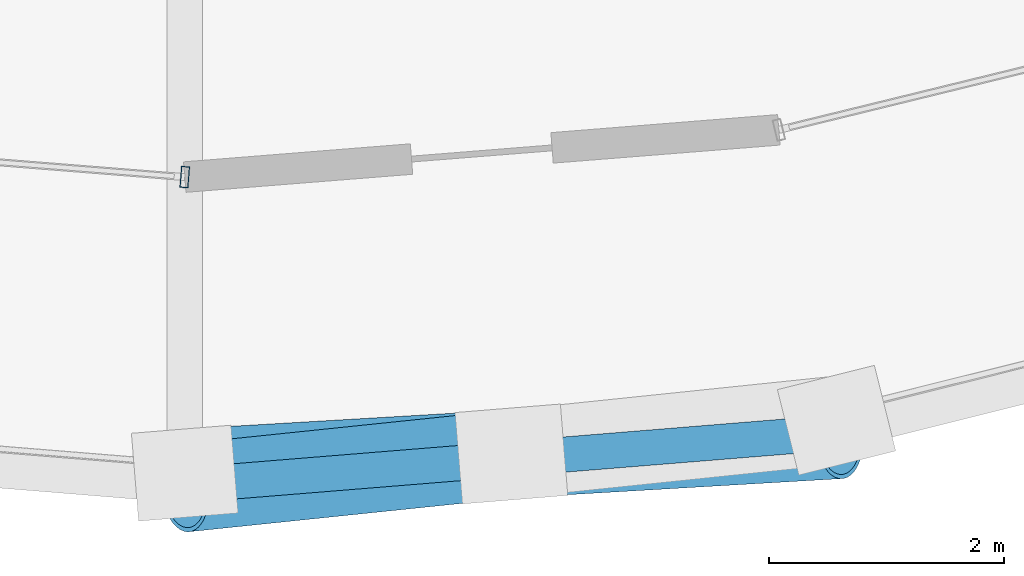
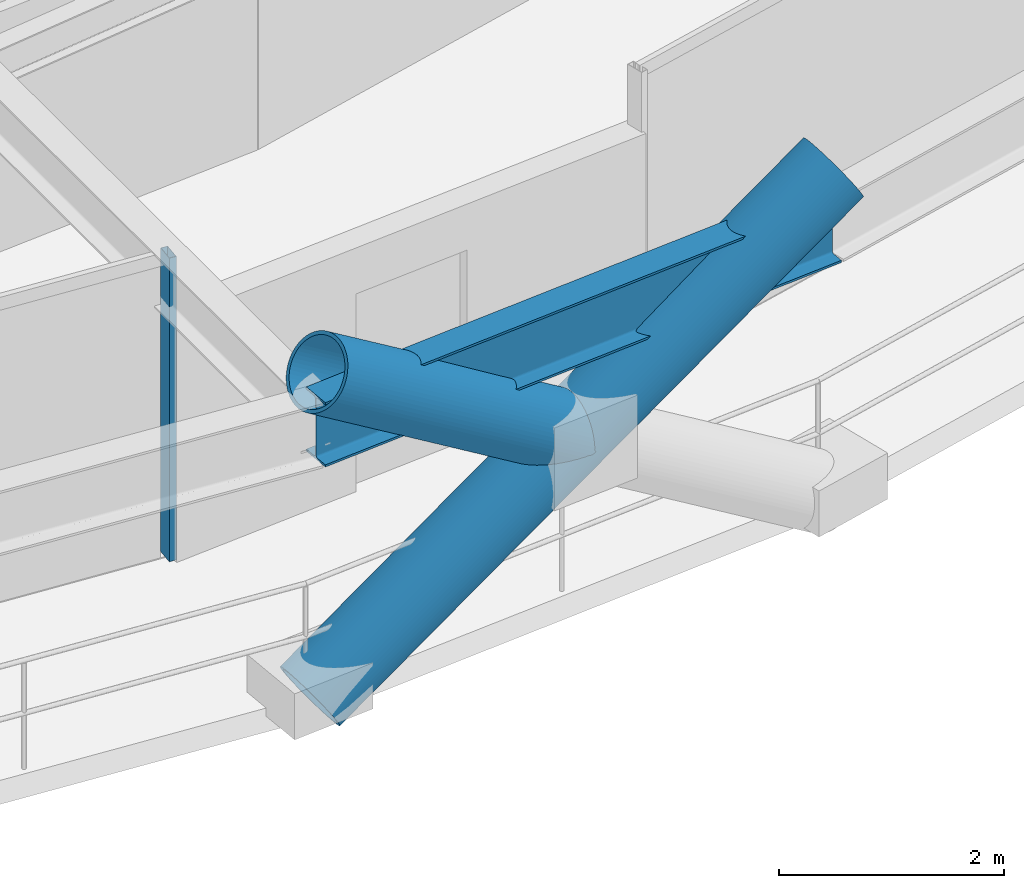
# One storey, part 5 of 19: 3 members, 1 beam, 1 element without a shape of its own.
"""IFC4 building model written with IfcOpenShell, lengths in metres."""

from ifc_helpers import new_model, si_unit, direction, frame, origin, origin_2d, place, context, subcontext, project, spatial, hollow_rectangle, hollow_circle, i_section, extrude, material, layer, layer_set, material_profile, profile_set, type_object, element, aggregate, save


model = new_model("IFC4")

# Units and contexts
model_context = context("Model", 3, precision=1e-05, world=origin(), true_north=direction((0.0, 1.0)))
body_context = subcontext(model_context, "Body", "Model", "MODEL_VIEW")
ifc_project = project(units=[si_unit("LENGTHUNIT", "METRE"), si_unit("AREAUNIT", "SQUARE_METRE"), si_unit("VOLUMEUNIT", "CUBIC_METRE"), si_unit("PLANEANGLEUNIT", "RADIAN"), si_unit("MASSUNIT", "GRAM", prefix="KILO")], contexts=[model_context])

# Site, building, storey
site_placement = place(None, origin())
site = spatial("IfcSite", under=ifc_project, at=site_placement, CompositionType="ELEMENT")
building_placement = place(site_placement, origin())
building = spatial("IfcBuilding", under=site, at=building_placement, Name="Veldorina Hangang Commons", CompositionType="ELEMENT")
storey_placement = place(building_placement, frame((0.0, 0.0, 52.0)))
storey = spatial("IfcBuildingStorey", under=building, at=storey_placement, Name="L12", CompositionType="ELEMENT", Elevation=52.0)

# Beam
ifc_material_1 = material(Name="Steel SM460-TMC", Category="steel")
ifc_material_profile_1 = material_profile(ifc_material_1, i_section(OverallWidth=0.300048828125, OverallDepth=0.699951171875, WebThickness=0.012939453125, FlangeThickness=0.02392578125, FilletRadius=0.02197265625, at=origin_2d()), Name="H-700x300x13x24")
ifc_profile_set_1 = profile_set([ifc_material_profile_1], Name="Steel SM460-TMC")
beam_type = type_object("IfcBeamType", Name="BM-RB700", PredefinedType="BEAM", material=ifc_profile_set_1)
beam_placement = place(storey_placement, frame((32.0, 0.460693359375, 2.989990234375), z_axis=(0.996718668419, 0.080943783114, 0.0), x_axis=(-0.080943783114, 0.996718668419, 0.0)))
element("IfcBeam", 1, at=beam_placement, inside=storey, type_object=beam_type, Name="L12 perimeter hoop ring beam 24", PredefinedType="BEAM", context=body_context, shape_type="SweptSolid", body=[
    extrude(i_section(OverallWidth=0.300048828125, OverallDepth=0.699951171875, WebThickness=0.012939453125, FlangeThickness=0.02392578125, FilletRadius=0.02197265625, at=origin_2d()), origin(), (0.0, 0.0, 1.0), 5.5859375),
])

# Curtain wall, member
ifc_material_2 = material(Name="Glass Low-E Triple IGU", Category="glass")
ifc_layer = layer(ifc_material_2, 0.179931640625)
ifc_layer_set = layer_set([ifc_layer], Name="Glass Low-E Triple IGU")
curtain_wall_type = type_object("IfcCurtainWallType", Name="CW-SYS-Z1", PredefinedType="NOTDEFINED", material=ifc_layer_set)
curtain_wall_placement = place(storey_placement, origin())
curtain_wall = element("IfcCurtainWall", 2, at=curtain_wall_placement, inside=storey, type_object=curtain_wall_type, Name="L12 unitised curtain wall CW-L12-R1", PredefinedType="NOTDEFINED")
ifc_material_3 = material(Name="Aluminium Anodized AA6063-T6", Category="aluminium")
ifc_material_profile_2 = material_profile(ifc_material_3, hollow_rectangle(XDim=0.070068359375, YDim=0.179931640625, WallThickness=0.00390625, at=origin_2d()), Name="ALU-RHS-180x70x4")
ifc_profile_set_2 = profile_set([ifc_material_profile_2], Name="Aluminium Anodized AA6063-T6")
member_type_1 = type_object("IfcMemberType", Name="CW-MUL-180", PredefinedType="MULLION", material=ifc_profile_set_2)
member_1_placement = place(storey_placement, frame((32.0, 3.084716796875, 0.0), z_axis=(0.0, 0.0, 1.0), x_axis=(-0.996855404635, 0.079242048492, 0.0)))
member_1 = element("IfcMember", 3, at=member_1_placement, type_object=member_type_1, Name="CW-L12-R1 vertical mullion 4", PredefinedType="MULLION", context=body_context, shape_type="SweptSolid", body=[
    extrude(hollow_rectangle(XDim=0.070068359375, YDim=0.179931640625, WallThickness=0.00390625, at=origin_2d()), origin(), (0.0, 0.0, 1.0), 3.300048828125),
])
aggregate(curtain_wall, [member_1])

# Members
ifc_material_profile_3 = material_profile(ifc_material_1, hollow_circle(Radius=0.375, WallThickness=0.035888671875, at=origin_2d()), Name="CHS-750x36")
ifc_profile_set_3 = profile_set([ifc_material_profile_3], Name="Steel SM460-TMC")
member_type_2 = type_object("IfcMemberType", Name="DG-CHS750", PredefinedType="BRACE", material=ifc_profile_set_3)
member_2_placement = place(storey_placement, frame((32.0, 0.564697265625, 0.0), z_axis=(0.838915275751, 0.049291740121, 0.542025354082), x_axis=(-0.058655356009, 0.998278292467, 0.0)))
element("IfcMember", 4, at=member_2_placement, inside=storey, type_object=member_type_2, Name="L12 continuous perimeter diagrid brace 24", PredefinedType="BRACE", context=body_context, shape_type="SweptSolid", body=[
    extrude(hollow_circle(Radius=0.375, WallThickness=0.035888671875, at=origin_2d()), origin(), (0.0, 0.0, 1.0), 6.641845703125),
])
member_3_placement = place(storey_placement, frame((34.77978515625, 0.72802734375, 1.7958984375), z_axis=(-0.835642806829, -0.086822891312, 0.542367850208), x_axis=(0.103343222242, -0.99464575524, 0.0)))
element("IfcMember", 5, at=member_3_placement, inside=storey, type_object=member_type_2, Name="L12 split perimeter diagrid upper brace 25", PredefinedType="BRACE", context=body_context, shape_type="SweptSolid", body=[
    extrude(hollow_circle(Radius=0.375, WallThickness=0.035888671875, at=origin_2d()), origin(), (0.0, 0.0, 1.0), 3.326416015625),
])

save(model, "model.ifc")
